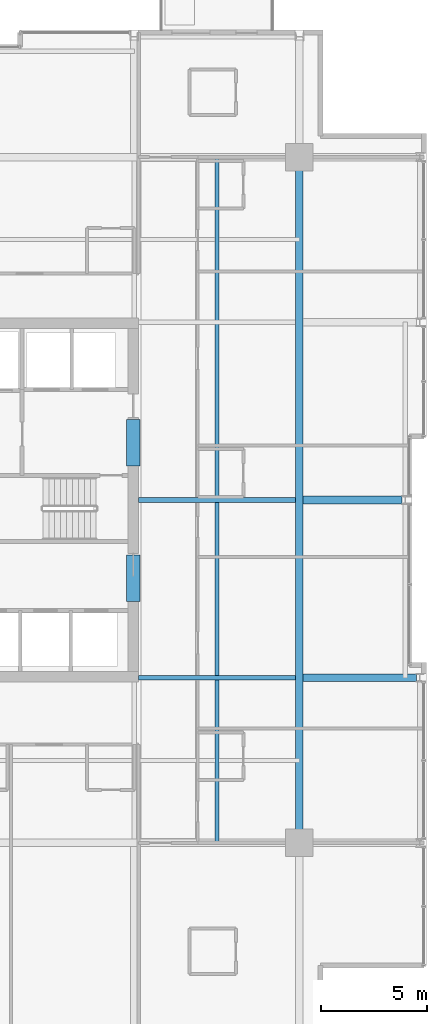
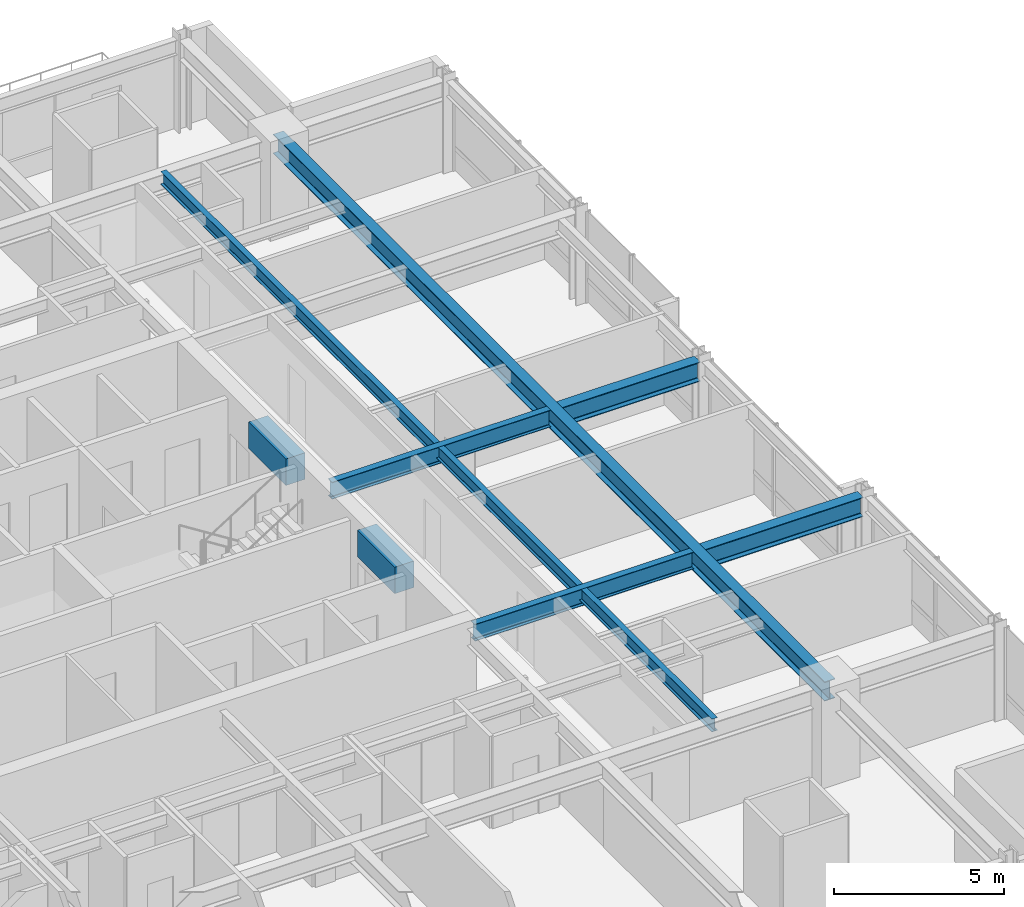
# One storey, part 14 of 33: 8 beams.
"""IFC4 building model written with IfcOpenShell, lengths in metres."""

from ifc_helpers import new_model, si_unit, direction, frame, origin, origin_2d, place, context, subcontext, project, spatial, rectangle, i_section, extrude, material, material_profile, profile_set, type_object, element, save


model = new_model("IFC4")

# Units and contexts
model_context = context("Model", 3, precision=1e-05, world=origin(), true_north=direction((0.0, 1.0)))
body_context = subcontext(model_context, "Body", "Model", "MODEL_VIEW")
ifc_project = project(units=[si_unit("LENGTHUNIT", "METRE"), si_unit("AREAUNIT", "SQUARE_METRE"), si_unit("VOLUMEUNIT", "CUBIC_METRE"), si_unit("PLANEANGLEUNIT", "RADIAN"), si_unit("MASSUNIT", "GRAM", prefix="KILO")], contexts=[model_context])

# Site, building, storey
site_placement = place(None, origin())
site = spatial("IfcSite", under=ifc_project, at=site_placement, CompositionType="ELEMENT")
building_placement = place(site_placement, origin())
building = spatial("IfcBuilding", under=site, at=building_placement, Name="Drelvath Grand Hotel", CompositionType="ELEMENT")
storey_placement = place(building_placement, frame((0.0, 0.0, 171.699951171875)))
storey = spatial("IfcBuildingStorey", under=building, at=storey_placement, Name="L44", CompositionType="ELEMENT", Elevation=171.699951171875)

# Beams
ifc_material_1 = material(Name="Steel ASTM A992 Gr 50", Category="steel")
ifc_material_profile_1 = material_profile(ifc_material_1, i_section(OverallWidth=0.19140625, OverallDepth=0.4599609375, WebThickness=0.010009765625, FlangeThickness=0.01611328125, FilletRadius=0.01611328125, at=origin_2d()), Name="W18X55")
ifc_profile_set_1 = profile_set([ifc_material_profile_1], Name="Steel ASTM A992 Gr 50")
beam_type_1 = type_object("IfcBeamType", Name="Composite Floor Joist W18X55", PredefinedType="JOIST", material=ifc_profile_set_1)
beam_1_placement = place(storey_placement, frame((12.300048828125, 10.800048828125, 3.06005859375), z_axis=(0.0, 1.0, 0.0), x_axis=(-1.0, 0.0, 0.0)))
element("IfcBeam", 1, at=beam_1_placement, inside=storey, type_object=beam_type_1, Name="L44 Wing Floor Joist J4", PredefinedType="JOIST", context=body_context, shape_type="SweptSolid", body=[
    extrude(i_section(OverallWidth=0.19140625, OverallDepth=0.4599609375, WebThickness=0.010009765625, FlangeThickness=0.01611328125, FilletRadius=0.01611328125, at=origin_2d()), origin(), (0.0, 0.0, 1.0), 32.39990234375),
])
ifc_material_2 = material(Name="Concrete f'c 55 MPa", Category="concrete")
ifc_material_profile_2 = material_profile(ifc_material_2, rectangle(XDim=0.64990234375, YDim=0.949951171875, at=origin_2d()), Name="CB650X950")
ifc_profile_set_2 = profile_set([ifc_material_profile_2], Name="Concrete f'c 55 MPa")
beam_type_2 = type_object("IfcBeamType", Name="Core Coupling Lintel CB650X950", PredefinedType="LINTEL", material=ifc_profile_set_2)
for number, where, z_axis, x_axis, name in (
    (2, (8.35009765625, 22.199951171875, 2.81494140625), (0.0, 1.0, 0.0), (-1.0, 0.0, 0.0), "L44 Core Coupling Lintel ES"),
    (3, (8.35009765625, 28.60009765625, 2.81494140625), (0.0, 1.0, 0.0), (-1.0, 0.0, 0.0), "L44 Core Coupling Lintel EN"),
):
    element("IfcBeam", number, at=place(storey_placement, frame(where, z_axis=z_axis, x_axis=x_axis)), inside=storey, type_object=beam_type_2, Name=name, PredefinedType="LINTEL", context=body_context, shape_type="SweptSolid", body=[
        extrude(rectangle(XDim=0.64990234375, YDim=0.949951171875, at=origin_2d()), origin(), (0.0, 0.0, 1.0), 2.199951171875),
    ])
ifc_material_profile_3 = material_profile(ifc_material_1, i_section(OverallWidth=0.228271484375, OverallDepth=0.607666015625, WebThickness=0.01123046875, FlangeThickness=0.017333984375, FilletRadius=0.02001953125, at=origin_2d()), Name="W24X76")
ifc_profile_set_3 = profile_set([ifc_material_profile_3], Name="Steel ASTM A992 Gr 50")
beam_type_3 = type_object("IfcBeamType", Name="Primary Floor Girder W24X76", PredefinedType="BEAM", material=ifc_profile_set_3)
for number, where, z_axis, x_axis, name in (
    (4, (8.60009765625, 18.60009765625, 2.986328125), (1.0, 0.0, 0.0), (0.0, 1.0, 0.0), "L44 East Core Tie D"),
    (5, (8.60009765625, 27.0, 2.986328125), (1.0, 0.0, 0.0), (0.0, 1.0, 0.0), "L44 East Core Tie E"),
):
    element("IfcBeam", number, at=place(storey_placement, frame(where, z_axis=z_axis, x_axis=x_axis)), inside=storey, type_object=beam_type_3, Name=name, PredefinedType="BEAM", context=body_context, shape_type="SweptSolid", body=[
        extrude(i_section(OverallWidth=0.228271484375, OverallDepth=0.607666015625, WebThickness=0.01123046875, FlangeThickness=0.017333984375, FilletRadius=0.02001953125, at=origin_2d()), origin(), (0.0, 0.0, 1.0), 7.422607421875),
    ])
ifc_material_profile_4 = material_profile(ifc_material_1, i_section(OverallWidth=0.354736328125, OverallDepth=0.695556640625, WebThickness=0.015380859375, FlangeThickness=0.025146484375, FilletRadius=0.02392578125, at=origin_2d()), Name="W27X146")
ifc_profile_set_4 = profile_set([ifc_material_profile_4], Name="Steel ASTM A992 Gr 50")
beam_type_4 = type_object("IfcBeamType", Name="Primary Floor Girder W27X146", PredefinedType="BEAM", material=ifc_profile_set_4)
beam_2_placement = place(storey_placement, frame((16.199951171875, 10.800048828125, 2.9423828125), z_axis=(0.0, 1.0, 0.0), x_axis=(-1.0, 0.0, 0.0)))
element("IfcBeam", 6, at=beam_2_placement, inside=storey, type_object=beam_type_4, Name="L44 Mega Ring Girder East", PredefinedType="BEAM", context=body_context, shape_type="SweptSolid", body=[
    extrude(i_section(OverallWidth=0.354736328125, OverallDepth=0.695556640625, WebThickness=0.015380859375, FlangeThickness=0.025146484375, FilletRadius=0.02392578125, at=origin_2d()), origin(), (0.0, 0.0, 1.0), 32.39990234375),
])
beam_3_placement = place(storey_placement, frame((16.37744140625, 18.60009765625, 2.9423828125), z_axis=(1.0, 0.0, 0.0), x_axis=(0.0, 1.0, 0.0)))
element("IfcBeam", 7, at=beam_3_placement, inside=storey, type_object=beam_type_4, Name="L44 East Wing Girder D", PredefinedType="BEAM", context=body_context, shape_type="SweptSolid", body=[
    extrude(i_section(OverallWidth=0.354736328125, OverallDepth=0.695556640625, WebThickness=0.015380859375, FlangeThickness=0.025146484375, FilletRadius=0.02392578125, at=origin_2d()), origin(), (0.0, 0.0, 1.0), 5.362548828125),
])
beam_4_placement = place(storey_placement, frame((16.37744140625, 27.0, 2.9423828125), z_axis=(1.0, 0.0, 0.0), x_axis=(0.0, 1.0, 0.0)))
element("IfcBeam", 8, at=beam_4_placement, inside=storey, type_object=beam_type_4, Name="L44 East Wing Girder E", PredefinedType="BEAM", context=body_context, shape_type="SweptSolid", body=[
    extrude(i_section(OverallWidth=0.354736328125, OverallDepth=0.695556640625, WebThickness=0.015380859375, FlangeThickness=0.025146484375, FilletRadius=0.02392578125, at=origin_2d()), origin(), (0.0, 0.0, 1.0), 4.6826171875),
])

save(model, "model.ifc")
